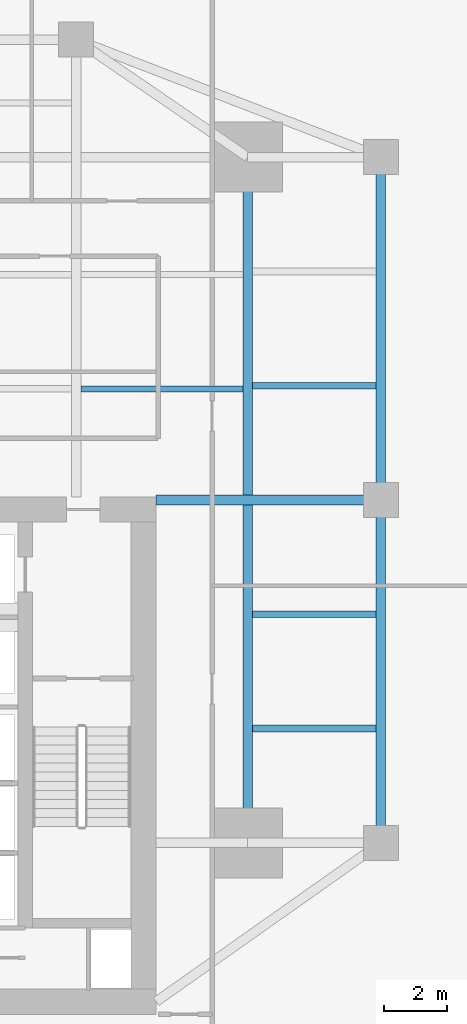
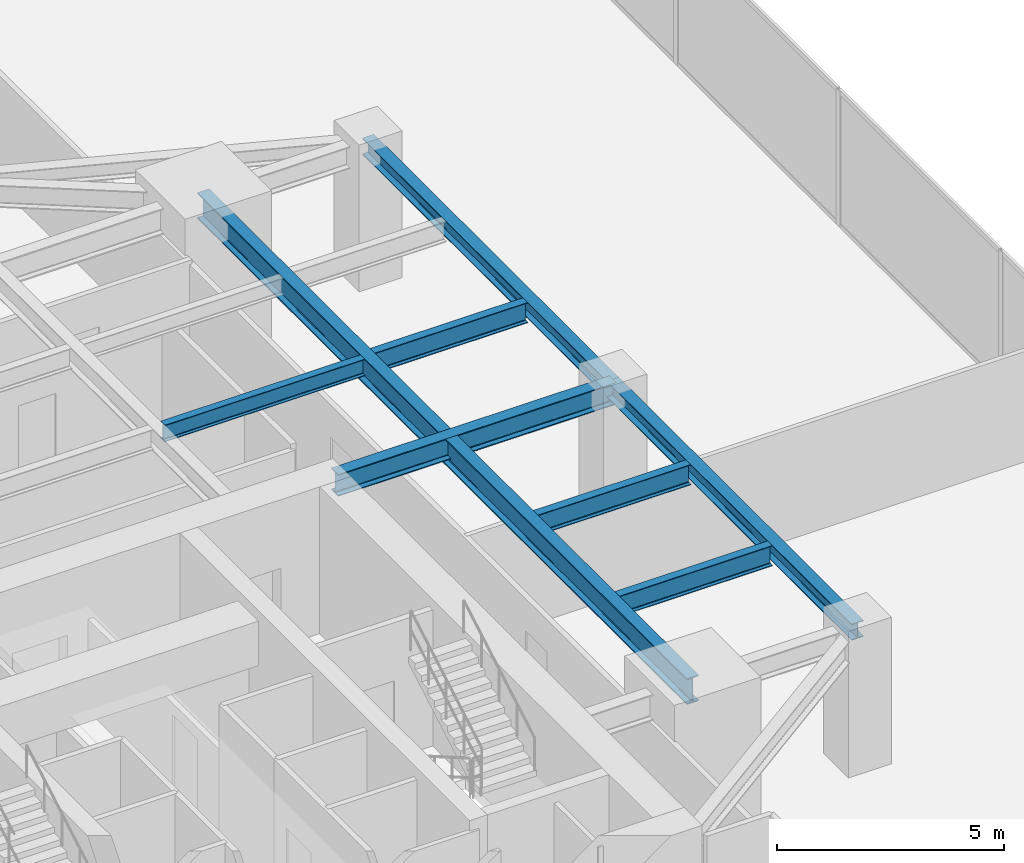
# One storey, part 13 of 28: 8 beams.
"""IFC4 building model written with IfcOpenShell, lengths in metres."""

from ifc_helpers import new_model, si_unit, direction, frame, origin, origin_2d, place, context, subcontext, project, spatial, i_section, extrude, source, transform, mapped, material, material_profile, profile_set, type_object, type_shapes, element, save


model = new_model("IFC4")

# Units and contexts
model_context = context("Model", 3, precision=1e-05, world=origin(), true_north=direction((0.0, 1.0)))
body_context = subcontext(model_context, "Body", "Model", "MODEL_VIEW")
ifc_project = project(units=[si_unit("LENGTHUNIT", "METRE"), si_unit("AREAUNIT", "SQUARE_METRE"), si_unit("VOLUMEUNIT", "CUBIC_METRE"), si_unit("PLANEANGLEUNIT", "RADIAN"), si_unit("MASSUNIT", "GRAM", prefix="KILO")], contexts=[model_context])

# Site, building, storey
site_placement = place(None, origin())
site = spatial("IfcSite", under=ifc_project, at=site_placement, CompositionType="ELEMENT")
building_placement = place(site_placement, origin())
building = spatial("IfcBuilding", under=site, at=building_placement, Name="Krantzveldt Concourse Tower", CompositionType="ELEMENT")
storey_placement = place(building_placement, frame((0.0, 0.0, 28.949951171875)))
storey = spatial("IfcBuildingStorey", under=building, at=storey_placement, Name="L06", CompositionType="ELEMENT", Elevation=28.949951171875)

# Beams
ifc_material_1 = material(Name="Steel S355J2", Category="steel")
ifc_material_profile_1 = material_profile(ifc_material_1, i_section(OverallWidth=0.300048828125, OverallDepth=0.699951171875, WebThickness=0.01708984375, FlangeThickness=0.031982421875, FilletRadius=0.027099609375, at=origin_2d()), Name="Steel S355J2", Category="steel")
ifc_profile_set_1 = profile_set([ifc_material_profile_1], Name="Steel S355J2 - HEB 700")
beam_type_1 = type_object("IfcBeamType", Name="BM-B-HEB700", PredefinedType="BEAM", material=ifc_profile_set_1)
shared_shape_1 = source(origin(), body_context, "Body", "SweptSolid", [
    extrude(i_section(OverallWidth=0.300048828125, OverallDepth=0.699951171875, WebThickness=0.01708984375, FlangeThickness=0.031982421875, FilletRadius=0.027099609375, at=origin_2d()), origin(), (0.0, 0.0, 1.0), 21.60009765625),
])
type_shapes(beam_type_1, [shared_shape_1])
beam_1_placement = place(storey_placement, frame((46.800048828125, 15.89990234375, 3.320068359375), z_axis=(0.0, 1.0, 0.0), x_axis=(-1.0, 0.0, 0.0)))
element("IfcBeam", 1, at=beam_1_placement, inside=storey, type_object=beam_type_1, Name="L06 Tower Girder BG-ME", PredefinedType="BEAM", context=body_context, shape_type="MappedRepresentation", body=[
    mapped(shared_shape_1, transform((0.0, 0.0, 0.0), x_axis=(1.0, 0.0, 0.0), y_axis=(0.0, 1.0, 0.0), z_axis=(0.0, 0.0, 1.0), scale=1.0)),
])
ifc_material_2 = material(Name="Steel S355JR", Category="steel")
ifc_material_profile_2 = material_profile(ifc_material_2, i_section(OverallWidth=0.300048828125, OverallDepth=0.590087890625, WebThickness=0.012939453125, FlangeThickness=0.02490234375, FilletRadius=0.027099609375, at=origin_2d()), Name="Steel S355JR", Category="steel")
ifc_profile_set_2 = profile_set([ifc_material_profile_2], Name="Steel S355JR - HEA 600")
beam_type_2 = type_object("IfcBeamType", Name="BM-B-HEA600", PredefinedType="BEAM", material=ifc_profile_set_2)
shared_shape_2 = source(origin(), body_context, "Body", "SweptSolid", [
    extrude(i_section(OverallWidth=0.300048828125, OverallDepth=0.590087890625, WebThickness=0.012939453125, FlangeThickness=0.02490234375, FilletRadius=0.027099609375, at=origin_2d()), origin(), (0.0, 0.0, 1.0), 7.080078125),
])
type_shapes(beam_type_2, [shared_shape_2])
beam_2_placement = place(storey_placement, frame((43.919921875, 26.699951171875, 3.375), z_axis=(1.0, 0.0, 0.0), x_axis=(0.0, 1.0, 0.0)))
element("IfcBeam", 2, at=beam_2_placement, inside=storey, type_object=beam_type_2, Name="L06 Tower Girder BG-CE2", PredefinedType="BEAM", context=body_context, shape_type="MappedRepresentation", body=[
    mapped(shared_shape_2, transform((0.0, 0.0, 0.0), x_axis=(1.0, 0.0, 0.0), y_axis=(0.0, 1.0, 0.0), z_axis=(0.0, 0.0, 1.0), scale=1.0)),
])
ifc_material_profile_3 = material_profile(ifc_material_2, i_section(OverallWidth=0.300048828125, OverallDepth=0.43994140625, WebThickness=0.011474609375, FlangeThickness=0.02099609375, FilletRadius=0.027099609375, at=origin_2d()), Name="Steel S355JR", Category="steel")
ifc_profile_set_3 = profile_set([ifc_material_profile_3], Name="Steel S355JR - HEA 450")
beam_type_3 = type_object("IfcBeamType", Name="BM-SP-HEA450", PredefinedType="SPANDREL", material=ifc_profile_set_3)
shared_shape_3 = source(origin(), body_context, "Body", "SweptSolid", [
    extrude(i_section(OverallWidth=0.300048828125, OverallDepth=0.43994140625, WebThickness=0.011474609375, FlangeThickness=0.02099609375, FilletRadius=0.027099609375, at=origin_2d()), origin(), (0.0, 0.0, 1.0), 10.800048828125),
])
type_shapes(beam_type_3, [shared_shape_3])
for number, where, z_axis, x_axis, name in (
    (3, (51.0, 37.5, 3.449951171875), (0.0, -1.0, 0.0), (1.0, 0.0, 0.0), "L06 Tower Girder SP-R06"),
    (4, (51.0, 26.699951171875, 3.449951171875), (0.0, -1.0, 0.0), (1.0, 0.0, 0.0), "L06 Tower Girder SP-R07"),
):
    element("IfcBeam", number, at=place(storey_placement, frame(where, z_axis=z_axis, x_axis=x_axis)), inside=storey, type_object=beam_type_3, Name=name, PredefinedType="SPANDREL", context=body_context, shape_type="MappedRepresentation", body=[
        mapped(shared_shape_3, transform((0.0, 0.0, 0.0), x_axis=(1.0, 0.0, 0.0), y_axis=(0.0, 1.0, 0.0), z_axis=(0.0, 0.0, 1.0), scale=1.0)),
    ])
ifc_material_profile_4 = material_profile(ifc_material_2, i_section(OverallWidth=0.18994140625, OverallDepth=0.449951171875, WebThickness=0.009521484375, FlangeThickness=0.0146484375, FilletRadius=0.02099609375, at=origin_2d()), Name="Steel S355JR", Category="steel")
ifc_profile_set_4 = profile_set([ifc_material_profile_4], Name="Steel S355JR - IPE 450")
beam_type_4 = type_object("IfcBeamType", Name="BM-J-IPE450", PredefinedType="JOIST", material=ifc_profile_set_4)
shared_shape_4 = source(origin(), body_context, "Body", "SweptSolid", [
    extrude(i_section(OverallWidth=0.18994140625, OverallDepth=0.449951171875, WebThickness=0.009521484375, FlangeThickness=0.0146484375, FilletRadius=0.02099609375, at=origin_2d()), origin(), (0.0, 0.0, 1.0), 5.099853515625),
])
type_shapes(beam_type_4, [shared_shape_4])
beam_3_placement = place(storey_placement, frame((41.550048828125, 30.199951171875, 3.445068359375), z_axis=(1.0, 0.0, 0.0), x_axis=(0.0, 1.0, 0.0)))
element("IfcBeam", 5, at=beam_3_placement, inside=storey, type_object=beam_type_4, Name="L06 Secondary Floor Joist JN-E1", PredefinedType="JOIST", context=body_context, shape_type="MappedRepresentation", body=[
    mapped(shared_shape_4, transform((0.0, 0.0, 0.0), x_axis=(1.0, 0.0, 0.0), y_axis=(0.0, 1.0, 0.0), z_axis=(0.0, 0.0, 1.0), scale=1.0)),
])
ifc_material_profile_5 = material_profile(ifc_material_2, i_section(OverallWidth=0.2099609375, OverallDepth=0.550048828125, WebThickness=0.010986328125, FlangeThickness=0.01708984375, FilletRadius=0.02392578125, at=origin_2d()), Name="Steel S355JR", Category="steel")
ifc_profile_set_5 = profile_set([ifc_material_profile_5], Name="Steel S355JR - IPE 550")
beam_type_5 = type_object("IfcBeamType", Name="BM-J-IPE550", PredefinedType="JOIST", material=ifc_profile_set_5)
shared_shape_5 = source(origin(), body_context, "Body", "SweptSolid", [
    extrude(i_section(OverallWidth=0.2099609375, OverallDepth=0.550048828125, WebThickness=0.010986328125, FlangeThickness=0.01708984375, FilletRadius=0.02392578125, at=origin_2d()), origin(), (0.0, 0.0, 1.0), 3.900146484375),
])
type_shapes(beam_type_5, [shared_shape_5])
for number, where, z_axis, x_axis, name in (
    (6, (46.949951171875, 19.5, 3.39501953125), (1.0, 0.0, 0.0), (0.0, 1.0, 0.0), "L06 Secondary Floor Joist JE-1"),
    (7, (46.949951171875, 23.10009765625, 3.39501953125), (1.0, 0.0, 0.0), (0.0, 1.0, 0.0), "L06 Secondary Floor Joist JE-2"),
    (8, (46.949951171875, 30.300048828125, 3.39501953125), (1.0, 0.0, 0.0), (0.0, 1.0, 0.0), "L06 Secondary Floor Joist JE-3"),
):
    element("IfcBeam", number, at=place(storey_placement, frame(where, z_axis=z_axis, x_axis=x_axis)), inside=storey, type_object=beam_type_5, Name=name, PredefinedType="JOIST", context=body_context, shape_type="MappedRepresentation", body=[
        mapped(shared_shape_5, transform((0.0, 0.0, 0.0), x_axis=(1.0, 0.0, 0.0), y_axis=(0.0, 1.0, 0.0), z_axis=(0.0, 0.0, 1.0), scale=1.0)),
    ])

save(model, "model.ifc")
